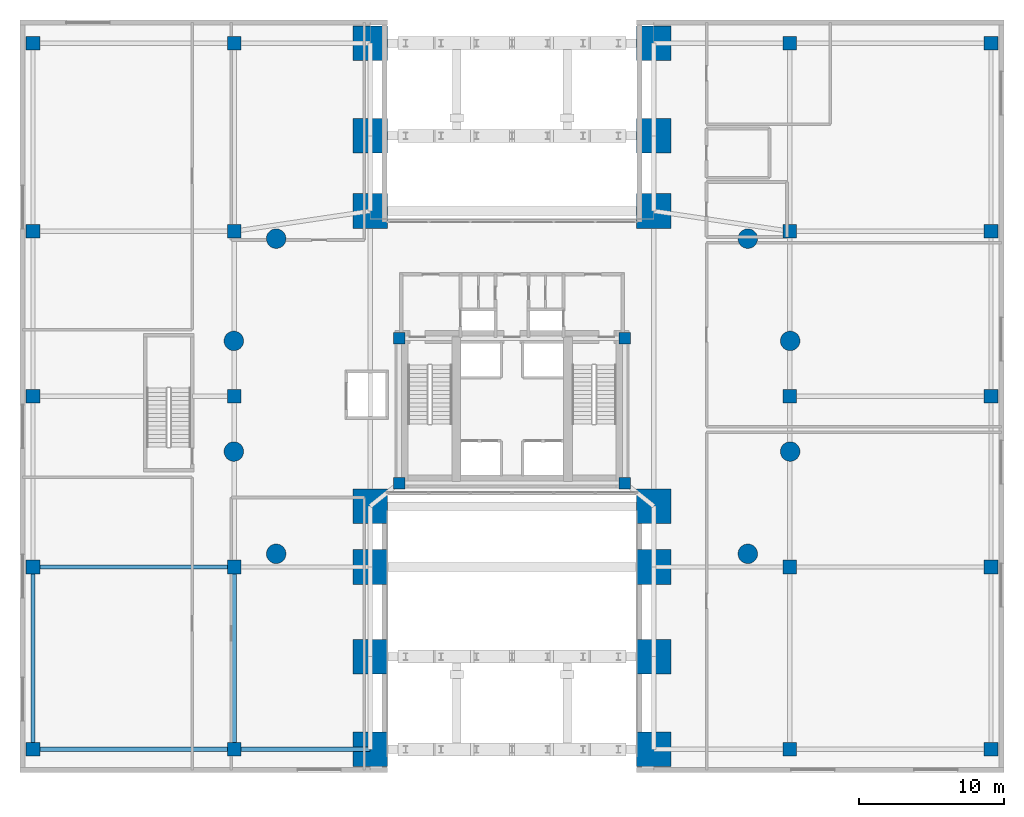
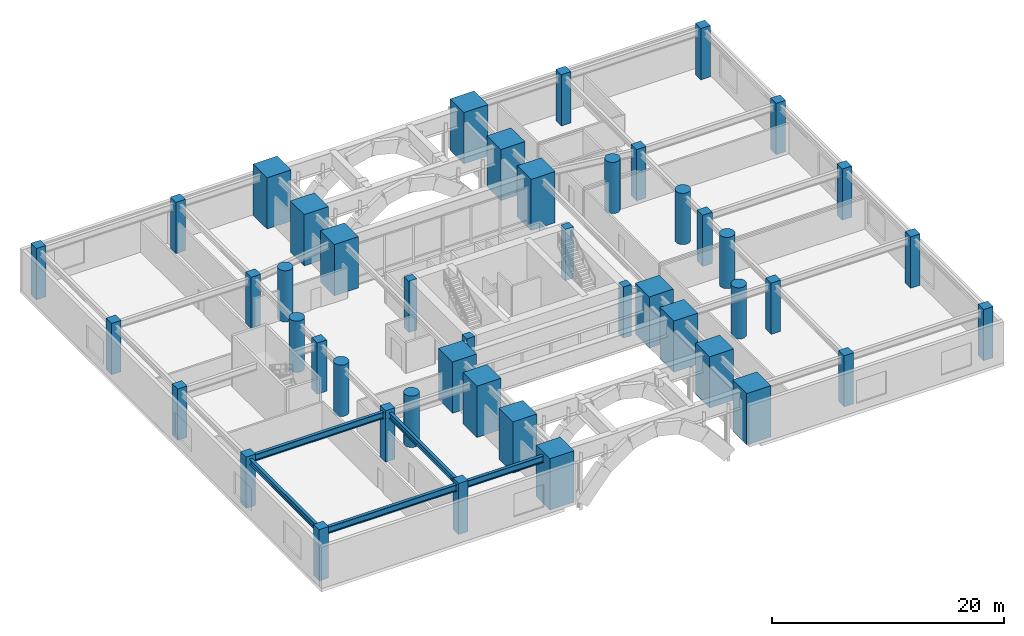
# One storey, part 1 of 18: 46 columns, 5 beams.
"""IFC4 building model written with IfcOpenShell, lengths in metres."""

from ifc_helpers import new_model, si_unit, direction, frame, origin, origin_2d, place, context, subcontext, project, spatial, rectangle, circle, i_section, extrude, material, material_profile, profile_set, type_object, element, save


model = new_model("IFC4")

# Units and contexts
model_context = context("Model", 3, precision=1e-05, world=origin(), true_north=direction((0.0, 1.0)))
body_context = subcontext(model_context, "Body", "Model", "MODEL_VIEW")
ifc_project = project(units=[si_unit("LENGTHUNIT", "METRE"), si_unit("AREAUNIT", "SQUARE_METRE"), si_unit("VOLUMEUNIT", "CUBIC_METRE"), si_unit("PLANEANGLEUNIT", "RADIAN"), si_unit("MASSUNIT", "GRAM", prefix="KILO"), si_unit("THERMODYNAMICTEMPERATUREUNIT", "KELVIN"), si_unit("POWERUNIT", "WATT")], contexts=[model_context])

# Site, building, storey
site_placement = place(None, origin())
site = spatial("IfcSite", under=ifc_project, at=site_placement, CompositionType="ELEMENT")
building_placement = place(site_placement, origin())
building = spatial("IfcBuilding", under=site, at=building_placement, Name="Ocrelia Relay Tower", CompositionType="ELEMENT")
storey_placement = place(building_placement, frame((0.0, 0.0, 10.199951171875)))
storey = spatial("IfcBuildingStorey", under=building, at=storey_placement, Name="L02", CompositionType="ELEMENT", Elevation=10.199951171875)

# Columns
ifc_material_1 = material(Name="Concrete C60/75", Category="concrete")
ifc_material_profile_1 = material_profile(ifc_material_1, rectangle(XDim=0.949951171875, YDim=0.949951171875, at=origin_2d()), Name="RC-COL-950x950")
ifc_profile_set_1 = profile_set([ifc_material_profile_1], Name="Concrete C60/75")
column_type_1 = type_object("IfcColumnType", Name="COL-CC-950", PredefinedType="COLUMN", material=ifc_profile_set_1)
for number, where, z_axis, x_axis, name in (
    (1, (0.89990234375, 1.60009765625, 0.0), (0.0, 0.0, 1.0), (1.0, 0.0, 0.0), "L02 Podium Column PC01"),
    (2, (0.89990234375, 14.199951171875, 0.0), (0.0, 0.0, 1.0), (1.0, 0.0, 0.0), "L02 Podium Column PC02"),
    (3, (0.89990234375, 26.0, 0.0), (0.0, 0.0, 1.0), (1.0, 0.0, 0.0), "L02 Podium Column PC03"),
    (4, (0.89990234375, 37.39990234375, 0.0), (0.0, 0.0, 1.0), (1.0, 0.0, 0.0), "L02 Podium Column PC04"),
    (5, (0.89990234375, 50.39990234375, 0.0), (0.0, 0.0, 1.0), (1.0, 0.0, 0.0), "L02 Podium Column PC05"),
    (6, (14.800048828125, 1.60009765625, 0.0), (0.0, 0.0, 1.0), (1.0, 0.0, 0.0), "L02 Podium Column PC06"),
    (7, (14.800048828125, 14.199951171875, 0.0), (0.0, 0.0, 1.0), (1.0, 0.0, 0.0), "L02 Podium Column PC07"),
    (8, (14.800048828125, 26.0, 0.0), (0.0, 0.0, 1.0), (1.0, 0.0, 0.0), "L02 Podium Column PC08"),
    (9, (14.800048828125, 37.39990234375, 0.0), (0.0, 0.0, 1.0), (1.0, 0.0, 0.0), "L02 Podium Column PC09"),
    (10, (14.800048828125, 50.39990234375, 0.0), (0.0, 0.0, 1.0), (1.0, 0.0, 0.0), "L02 Podium Column PC10"),
    (11, (53.199951171875, 1.60009765625, 0.0), (0.0, 0.0, 1.0), (1.0, 0.0, 0.0), "L02 Podium Column PC11"),
    (12, (53.199951171875, 14.199951171875, 0.0), (0.0, 0.0, 1.0), (1.0, 0.0, 0.0), "L02 Podium Column PC12"),
    (13, (53.199951171875, 26.0, 0.0), (0.0, 0.0, 1.0), (1.0, 0.0, 0.0), "L02 Podium Column PC13"),
    (14, (53.199951171875, 37.39990234375, 0.0), (0.0, 0.0, 1.0), (1.0, 0.0, 0.0), "L02 Podium Column PC14"),
    (15, (53.199951171875, 50.39990234375, 0.0), (0.0, 0.0, 1.0), (1.0, 0.0, 0.0), "L02 Podium Column PC15"),
    (16, (67.10009765625, 1.60009765625, 0.0), (0.0, 0.0, 1.0), (1.0, 0.0, 0.0), "L02 Podium Column PC16"),
    (17, (67.10009765625, 14.199951171875, 0.0), (0.0, 0.0, 1.0), (1.0, 0.0, 0.0), "L02 Podium Column PC17"),
    (18, (67.10009765625, 26.0, 0.0), (0.0, 0.0, 1.0), (1.0, 0.0, 0.0), "L02 Podium Column PC18"),
    (19, (67.10009765625, 37.39990234375, 0.0), (0.0, 0.0, 1.0), (1.0, 0.0, 0.0), "L02 Podium Column PC19"),
    (20, (67.10009765625, 50.39990234375, 0.0), (0.0, 0.0, 1.0), (1.0, 0.0, 0.0), "L02 Podium Column PC20"),
):
    element("IfcColumn", number, at=place(storey_placement, frame(where, z_axis=z_axis, x_axis=x_axis)), inside=storey, type_object=column_type_1, Name=name, PredefinedType="COLUMN", context=body_context, shape_type="SweptSolid", body=[
        extrude(rectangle(XDim=0.949951171875, YDim=0.949951171875, at=origin_2d()), origin(), (0.0, 0.0, 1.0), 5.400146484375),
    ])
ifc_material_2 = material(Name="Concrete C70/85", Category="concrete")
ifc_material_profile_2 = material_profile(ifc_material_2, circle(Radius=0.675048828125, at=origin_2d()), Name="RC-CIR-1350")
ifc_profile_set_2 = profile_set([ifc_material_profile_2], Name="Concrete C70/85")
column_type_2 = type_object("IfcColumnType", Name="COL-CT-1350", PredefinedType="COLUMN", material=ifc_profile_set_2)
for number, where, z_axis, x_axis, name in (
    (21, (53.223388671875, 29.82373046875, 0.0), (0.0, 0.0, 1.0), (1.0, 0.0, 0.0), "L02 Tower Ring Column Z1-01"),
    (22, (50.296875, 36.88916015625, 0.0), (0.0, 0.0, 1.0), (1.0, 0.0, 0.0), "L02 Tower Ring Column Z1-02"),
    (23, (17.703125, 36.88916015625, 0.0), (0.0, 0.0, 1.0), (1.0, 0.0, 0.0), "L02 Tower Ring Column Z1-07"),
    (24, (14.776611328125, 29.82373046875, 0.0), (0.0, 0.0, 1.0), (1.0, 0.0, 0.0), "L02 Tower Ring Column Z1-08"),
    (25, (14.776611328125, 22.17626953125, 0.0), (0.0, 0.0, 1.0), (1.0, 0.0, 0.0), "L02 Tower Ring Column Z1-09"),
    (26, (17.703125, 15.11083984375, 0.0), (0.0, 0.0, 1.0), (1.0, 0.0, 0.0), "L02 Tower Ring Column Z1-10"),
    (27, (50.296875, 15.11083984375, 0.0), (0.0, 0.0, 1.0), (1.0, 0.0, 0.0), "L02 Tower Ring Column Z1-15"),
    (28, (53.223388671875, 22.17626953125, 0.0), (0.0, 0.0, 1.0), (1.0, 0.0, 0.0), "L02 Tower Ring Column Z1-16"),
):
    element("IfcColumn", number, at=place(storey_placement, frame(where, z_axis=z_axis, x_axis=x_axis)), inside=storey, type_object=column_type_2, Name=name, PredefinedType="COLUMN", context=body_context, shape_type="SweptSolid", body=[
        extrude(circle(Radius=0.675048828125, at=origin_2d()), origin(), (0.0, 0.0, 1.0), 5.400146484375),
    ])
ifc_material_profile_3 = material_profile(ifc_material_2, rectangle(XDim=2.39990234375, YDim=2.39990234375, at=origin_2d()), Name="RC-PIER-2400x2400")
ifc_profile_set_3 = profile_set([ifc_material_profile_3], Name="Concrete C70/85")
column_type_3 = type_object("IfcColumnType", Name="COL-PIER-2400", PredefinedType="USERDEFINED", material=ifc_profile_set_3)
for number, where, z_axis, x_axis, name in (
    (29, (24.199951171875, 1.60009765625, 0.0), (0.0, 0.0, 1.0), (1.0, 0.0, 0.0), "L02 Portal Arch Pier P01"),
    (30, (24.199951171875, 8.0, 0.0), (0.0, 0.0, 1.0), (1.0, 0.0, 0.0), "L02 Portal Arch Pier P02"),
    (31, (24.199951171875, 14.199951171875, 0.0), (0.0, 0.0, 1.0), (1.0, 0.0, 0.0), "L02 Portal Arch Pier P03"),
    (32, (24.199951171875, 18.39990234375, 0.0), (0.0, 0.0, 1.0), (1.0, 0.0, 0.0), "L02 Portal Arch Pier P04"),
    (33, (24.199951171875, 38.800048828125, 0.0), (0.0, 0.0, 1.0), (1.0, 0.0, 0.0), "L02 Portal Arch Pier P05"),
    (34, (24.199951171875, 44.0, 0.0), (0.0, 0.0, 1.0), (1.0, 0.0, 0.0), "L02 Portal Arch Pier P06"),
    (35, (24.199951171875, 50.39990234375, 0.0), (0.0, 0.0, 1.0), (1.0, 0.0, 0.0), "L02 Portal Arch Pier P07"),
    (36, (43.800048828125, 1.60009765625, 0.0), (0.0, 0.0, 1.0), (1.0, 0.0, 0.0), "L02 Portal Arch Pier P08"),
    (37, (43.800048828125, 8.0, 0.0), (0.0, 0.0, 1.0), (1.0, 0.0, 0.0), "L02 Portal Arch Pier P09"),
    (38, (43.800048828125, 14.199951171875, 0.0), (0.0, 0.0, 1.0), (1.0, 0.0, 0.0), "L02 Portal Arch Pier P10"),
    (39, (43.800048828125, 18.39990234375, 0.0), (0.0, 0.0, 1.0), (1.0, 0.0, 0.0), "L02 Portal Arch Pier P11"),
    (40, (43.800048828125, 38.800048828125, 0.0), (0.0, 0.0, 1.0), (1.0, 0.0, 0.0), "L02 Portal Arch Pier P12"),
    (41, (43.800048828125, 44.0, 0.0), (0.0, 0.0, 1.0), (1.0, 0.0, 0.0), "L02 Portal Arch Pier P13"),
    (42, (43.800048828125, 50.39990234375, 0.0), (0.0, 0.0, 1.0), (1.0, 0.0, 0.0), "L02 Portal Arch Pier P14"),
):
    element("IfcColumn", number, at=place(storey_placement, frame(where, z_axis=z_axis, x_axis=x_axis)), inside=storey, type_object=column_type_3, Name=name, ObjectType="PORTAL PIER", PredefinedType="USERDEFINED", context=body_context, shape_type="SweptSolid", body=[
        extrude(rectangle(XDim=2.39990234375, YDim=2.39990234375, at=origin_2d()), origin(), (0.0, 0.0, 1.0), 5.400146484375),
    ])
ifc_material_profile_4 = material_profile(ifc_material_1, rectangle(XDim=0.800048828125, YDim=0.800048828125, at=origin_2d()), Name="RC-COL-800x800")
ifc_profile_set_4 = profile_set([ifc_material_profile_4], Name="Concrete C60/75")
column_type_4 = type_object("IfcColumnType", Name="COL-PILASTER-800", PredefinedType="PILASTER", material=ifc_profile_set_4)
for number, where, z_axis, x_axis, name in (
    (43, (26.199951171875, 20.0, 0.0), (0.0, 0.0, 1.0), (1.0, 0.0, 0.0), "L02 Core Corner Pilaster SW"),
    (44, (41.800048828125, 20.0, 0.0), (0.0, 0.0, 1.0), (1.0, 0.0, 0.0), "L02 Core Corner Pilaster SE"),
    (45, (26.199951171875, 30.0, 0.0), (0.0, 0.0, 1.0), (1.0, 0.0, 0.0), "L02 Core Corner Pilaster NW"),
    (46, (41.800048828125, 30.0, 0.0), (0.0, 0.0, 1.0), (1.0, 0.0, 0.0), "L02 Core Corner Pilaster NE"),
):
    element("IfcColumn", number, at=place(storey_placement, frame(where, z_axis=z_axis, x_axis=x_axis)), inside=storey, type_object=column_type_4, Name=name, PredefinedType="PILASTER", context=body_context, shape_type="SweptSolid", body=[
        extrude(rectangle(XDim=0.800048828125, YDim=0.800048828125, at=origin_2d()), origin(), (0.0, 0.0, 1.0), 5.400146484375),
    ])

# Beams
ifc_material_3 = material(Name="Steel S355", Category="steel")
ifc_material_profile_5 = material_profile(ifc_material_3, i_section(OverallWidth=0.300048828125, OverallDepth=0.60009765625, WebThickness=0.015380859375, FlangeThickness=0.030029296875, FilletRadius=0.027099609375, at=origin_2d()), Name="HEB 600")
ifc_profile_set_5 = profile_set([ifc_material_profile_5], Name="Steel S355")
beam_type_1 = type_object("IfcBeamType", Name="BM-HEB600", PredefinedType="BEAM", material=ifc_profile_set_5)
for number, where, z_axis, x_axis, name in (
    (47, (0.89990234375, 1.60009765625, 4.780029296875), (0.0, 1.0, 0.0), (-1.0, 0.0, 0.0), "L02 Podium Span Girder W-1"),
    (48, (14.800048828125, 1.60009765625, 4.780029296875), (0.0, 1.0, 0.0), (-1.0, 0.0, 0.0), "L02 Podium Span Girder IW-1"),
):
    element("IfcBeam", number, at=place(storey_placement, frame(where, z_axis=z_axis, x_axis=x_axis)), inside=storey, type_object=beam_type_1, Name=name, PredefinedType="BEAM", context=body_context, shape_type="SweptSolid", body=[
        extrude(i_section(OverallWidth=0.300048828125, OverallDepth=0.60009765625, WebThickness=0.015380859375, FlangeThickness=0.030029296875, FilletRadius=0.027099609375, at=origin_2d()), origin(), (0.0, 0.0, 1.0), 12.599853515625),
    ])
ifc_material_profile_6 = material_profile(ifc_material_3, i_section(OverallWidth=0.300048828125, OverallDepth=0.699951171875, WebThickness=0.01708984375, FlangeThickness=0.031982421875, FilletRadius=0.027099609375, at=origin_2d()), Name="HEB 700")
ifc_profile_set_6 = profile_set([ifc_material_profile_6], Name="Steel S355")
beam_type_2 = type_object("IfcBeamType", Name="BM-HEB700", PredefinedType="BEAM", material=ifc_profile_set_6)
beam_1_placement = place(storey_placement, frame((0.89990234375, 1.60009765625, 4.72998046875), z_axis=(1.0, 0.0, 0.0), x_axis=(0.0, 1.0, 0.0)))
element("IfcBeam", 49, at=beam_1_placement, inside=storey, type_object=beam_type_2, Name="L02 West Outer Podium Girder S", PredefinedType="BEAM", context=body_context, shape_type="SweptSolid", body=[
    extrude(i_section(OverallWidth=0.300048828125, OverallDepth=0.699951171875, WebThickness=0.01708984375, FlangeThickness=0.031982421875, FilletRadius=0.027099609375, at=origin_2d()), origin(), (0.0, 0.0, 1.0), 13.900146484375),
])
beam_2_placement = place(storey_placement, frame((14.800048828125, 1.60009765625, 4.72998046875), z_axis=(1.0, 0.0, 0.0), x_axis=(0.0, 1.0, 0.0)))
element("IfcBeam", 50, at=beam_2_placement, inside=storey, type_object=beam_type_2, Name="L02 West Inner Podium Girder S", PredefinedType="BEAM", context=body_context, shape_type="SweptSolid", body=[
    extrude(i_section(OverallWidth=0.300048828125, OverallDepth=0.699951171875, WebThickness=0.01708984375, FlangeThickness=0.031982421875, FilletRadius=0.027099609375, at=origin_2d()), origin(), (0.0, 0.0, 1.0), 9.39990234375),
])
beam_3_placement = place(storey_placement, frame((0.89990234375, 14.199951171875, 4.72998046875), z_axis=(1.0, 0.0, 0.0), x_axis=(0.0, 1.0, 0.0)))
element("IfcBeam", 51, at=beam_3_placement, inside=storey, type_object=beam_type_2, Name="L02 West Outer Podium Girder M1", PredefinedType="BEAM", context=body_context, shape_type="SweptSolid", body=[
    extrude(i_section(OverallWidth=0.300048828125, OverallDepth=0.699951171875, WebThickness=0.01708984375, FlangeThickness=0.031982421875, FilletRadius=0.027099609375, at=origin_2d()), origin(), (0.0, 0.0, 1.0), 13.900146484375),
])

save(model, "model.ifc")
